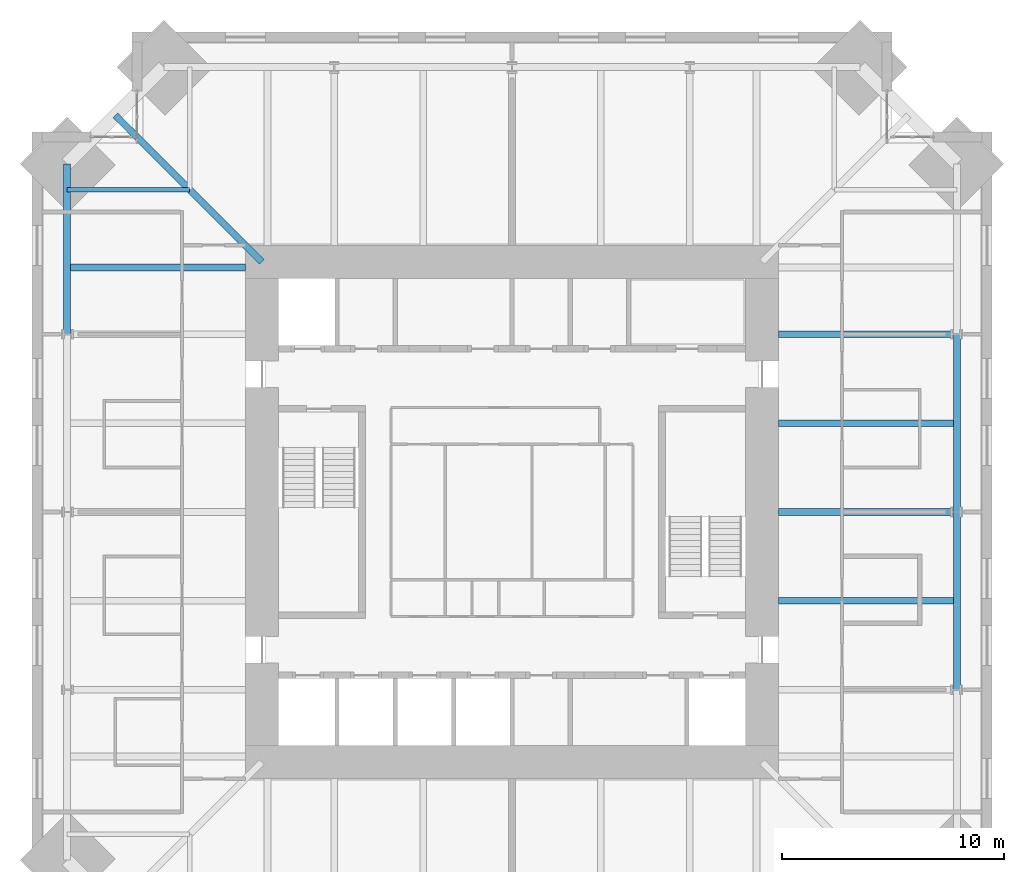
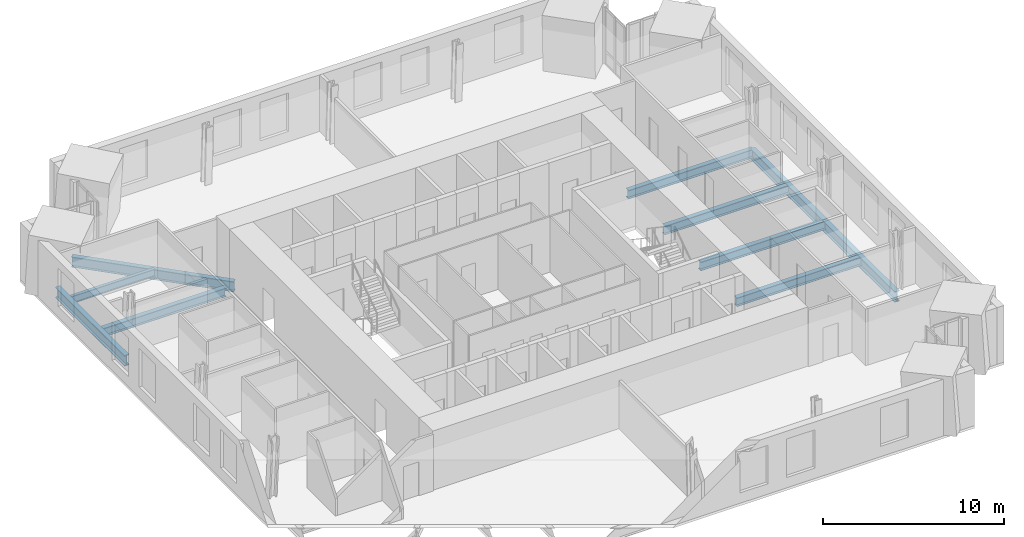
# One storey, part 5 of 16: 10 beams.
"""IFC4 building model written with IfcOpenShell, lengths in metres."""

from ifc_helpers import new_model, si_unit, direction, frame, origin, origin_2d, place, context, subcontext, project, spatial, i_section, extrude, material, material_profile, profile_set, type_object, element, save


model = new_model("IFC4")

# Units and contexts
model_context = context("Model", 3, precision=1e-05, world=origin(), true_north=direction((0.0, 1.0)))
body_context = subcontext(model_context, "Body", "Model", "MODEL_VIEW")
ifc_project = project(units=[si_unit("LENGTHUNIT", "METRE"), si_unit("AREAUNIT", "SQUARE_METRE"), si_unit("VOLUMEUNIT", "CUBIC_METRE"), si_unit("PLANEANGLEUNIT", "RADIAN"), si_unit("MASSUNIT", "GRAM", prefix="KILO")], contexts=[model_context])

# Site, building, storey
site_placement = place(None, origin())
site = spatial("IfcSite", under=ifc_project, at=site_placement, CompositionType="ELEMENT")
building_placement = place(site_placement, origin())
building = spatial("IfcBuilding", under=site, at=building_placement, Name="Peilmerk Tower", CompositionType="ELEMENT")
storey_placement = place(building_placement, frame((0.0, 0.0, 269.800048828125)))
storey = spatial("IfcBuildingStorey", under=building, at=storey_placement, Name="L60", CompositionType="ELEMENT", Elevation=269.800048828125)

# Beams
ifc_material = material(Name="Steel S355", Category="steel")
ifc_material_profile_1 = material_profile(ifc_material, i_section(OverallWidth=0.300048828125, OverallDepth=0.68994140625, WebThickness=0.014404296875, FlangeThickness=0.027099609375, at=origin_2d()), Name="HEA 700")
ifc_profile_set_1 = profile_set([ifc_material_profile_1], Name="Steel S355")
beam_type_1 = type_object("IfcBeamType", Name="B16 HEA 700 floor beam", PredefinedType="BEAM", material=ifc_profile_set_1)
beam_1_placement = place(storey_placement, frame((-11.25, 11.25, -0.51513671875), z_axis=(-0.707106781187, 0.707106781187, 0.0), x_axis=(-0.707106781187, -0.707106781187, 0.0)))
element("IfcBeam", 1, at=beam_1_placement, inside=storey, type_object=beam_type_1, Name="Corner girder L60", PredefinedType="BEAM", context=body_context, shape_type="SweptSolid", body=[
    extrude(i_section(OverallWidth=0.300048828125, OverallDepth=0.68994140625, WebThickness=0.014404296875, FlangeThickness=0.027099609375, at=origin_2d()), origin(), (0.0, 0.0, 1.0), 9.323486328125),
])
ifc_material_profile_2 = material_profile(ifc_material, i_section(OverallWidth=0.300048828125, OverallDepth=0.590087890625, WebThickness=0.012939453125, FlangeThickness=0.02490234375, at=origin_2d()), Name="HEA 600")
ifc_profile_set_2 = profile_set([ifc_material_profile_2], Name="Steel S355")
beam_type_2 = type_object("IfcBeamType", Name="B27 HEA 600 floor beam", PredefinedType="BEAM", material=ifc_profile_set_2)
for number, where, z_axis, x_axis, name in (
    (2, (12.0, -4.0, -0.465087890625), (1.0, 0.0, 0.0), (0.0, 1.0, 0.0), "Floor beam L60"),
    (3, (12.0, 0.0, -0.465087890625), (1.0, 0.0, 0.0), (0.0, 1.0, 0.0), "Floor beam L60"),
    (4, (12.0, 4.0, -0.465087890625), (1.0, 0.0, 0.0), (0.0, 1.0, 0.0), "Floor beam L60"),
    (5, (12.0, 8.0, -0.465087890625), (1.0, 0.0, 0.0), (0.0, 1.0, 0.0), "Floor beam L60"),
    (6, (-12.0, 11.0, -0.465087890625), (-1.0, 0.0, 0.0), (0.0, -1.0, 0.0), "Floor beam L60"),
):
    element("IfcBeam", number, at=place(storey_placement, frame(where, z_axis=z_axis, x_axis=x_axis)), inside=storey, type_object=beam_type_2, Name=name, PredefinedType="BEAM", context=body_context, shape_type="SweptSolid", body=[
        extrude(i_section(OverallWidth=0.300048828125, OverallDepth=0.590087890625, WebThickness=0.012939453125, FlangeThickness=0.02490234375, at=origin_2d()), origin(), (0.0, 0.0, 1.0), 8.017822265625),
    ])
ifc_material_profile_3 = material_profile(ifc_material, i_section(OverallWidth=0.303955078125, OverallDepth=0.716064453125, WebThickness=0.02099609375, FlangeThickness=0.0400390625, at=origin_2d()), Name="HEM 700")
ifc_profile_set_3 = profile_set([ifc_material_profile_3], Name="Steel S355")
beam_type_3 = type_object("IfcBeamType", Name="B30 HEM 700 edge beam", PredefinedType="SPANDREL", material=ifc_profile_set_3)
for number, where, z_axis, x_axis, name in (
    (7, (20.017822265625, -8.0, -0.528076171875), (0.0, 1.0, 0.0), (-1.0, 0.0, 0.0), "Edge beam L60"),
    (8, (20.017822265625, 0.0, -0.528076171875), (0.0, 1.0, 0.0), (-1.0, 0.0, 0.0), "Edge beam L60"),
):
    element("IfcBeam", number, at=place(storey_placement, frame(where, z_axis=z_axis, x_axis=x_axis)), inside=storey, type_object=beam_type_3, Name=name, PredefinedType="SPANDREL", context=body_context, shape_type="SweptSolid", body=[
        extrude(i_section(OverallWidth=0.303955078125, OverallDepth=0.716064453125, WebThickness=0.02099609375, FlangeThickness=0.0400390625, at=origin_2d()), origin(), (0.0, 0.0, 1.0), 8.0),
    ])
beam_2_placement = place(storey_placement, frame((-20.017822265625, 15.667724609375, -0.528076171875), z_axis=(0.0, -1.0, 0.0), x_axis=(1.0, 0.0, 0.0)))
element("IfcBeam", 9, at=beam_2_placement, inside=storey, type_object=beam_type_3, Name="Edge beam L60", PredefinedType="SPANDREL", context=body_context, shape_type="SweptSolid", body=[
    extrude(i_section(OverallWidth=0.303955078125, OverallDepth=0.716064453125, WebThickness=0.02099609375, FlangeThickness=0.0400390625, at=origin_2d()), origin(), (0.0, 0.0, 1.0), 7.667724609375),
])
ifc_material_profile_4 = material_profile(ifc_material, i_section(OverallWidth=0.199951171875, OverallDepth=0.5, WebThickness=0.01025390625, FlangeThickness=0.01611328125, at=origin_2d()), Name="IPE 500")
ifc_profile_set_4 = profile_set([ifc_material_profile_4], Name="Steel S355")
beam_type_4 = type_object("IfcBeamType", Name="B32 IPE 500 floor beam", PredefinedType="BEAM", material=ifc_profile_set_4)
beam_3_placement = place(storey_placement, frame((-14.5, 14.5, -0.420166015625), z_axis=(-1.0, 0.0, 0.0), x_axis=(0.0, -1.0, 0.0)))
element("IfcBeam", 10, at=beam_3_placement, inside=storey, type_object=beam_type_4, Name="Floor beam L60", PredefinedType="BEAM", context=body_context, shape_type="SweptSolid", body=[
    extrude(i_section(OverallWidth=0.199951171875, OverallDepth=0.5, WebThickness=0.01025390625, FlangeThickness=0.01611328125, at=origin_2d()), origin(), (0.0, 0.0, 1.0), 5.517822265625),
])

save(model, "model.ifc")
